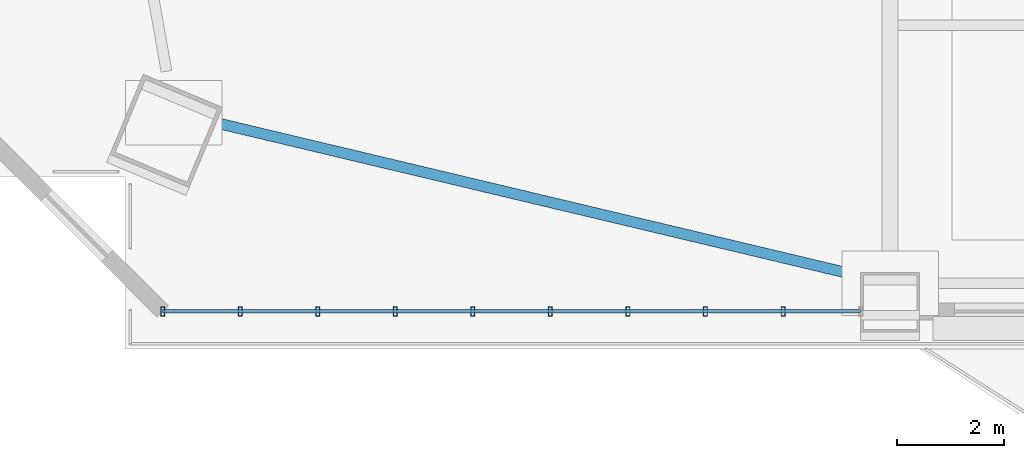
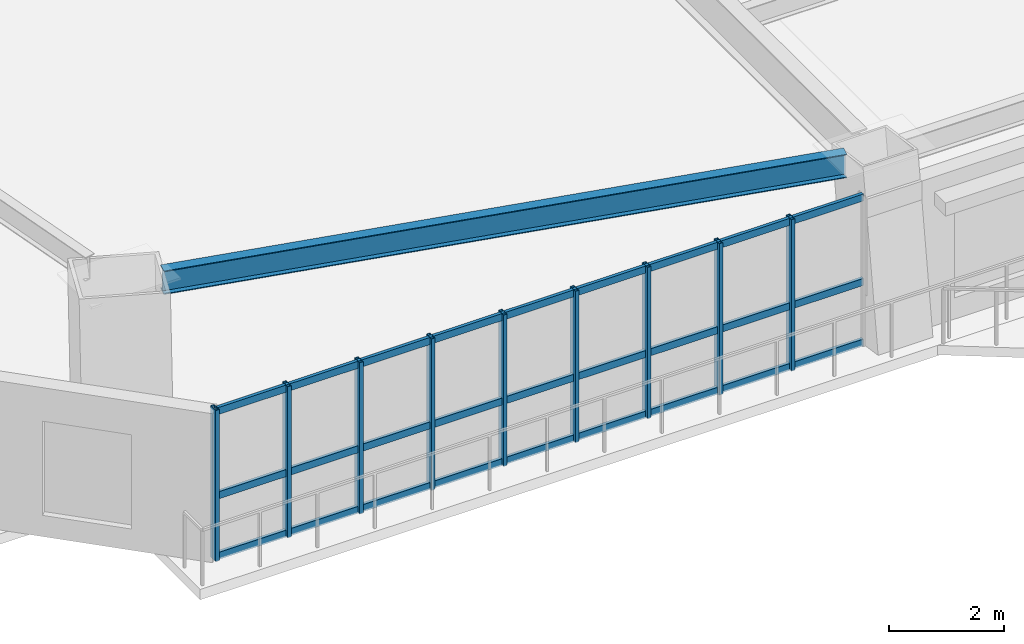
# One storey, part 2 of 17: 12 members, 1 beam, 1 element without a shape of its own.
"""IFC4 building model written with IfcOpenShell, lengths in metres."""

from ifc_helpers import new_model, si_unit, direction, frame, origin, origin_2d, place, context, subcontext, project, spatial, hollow_rectangle, i_section, extrude, source, transform, mapped, material, layer, layer_set, material_profile, profile_set, type_object, element, aggregate, save


model = new_model("IFC4")

# Units and contexts
model_context = context("Model", 3, precision=1e-05, world=origin(), true_north=direction((0.0, 1.0)))
body_context = subcontext(model_context, "Body", "Model", "MODEL_VIEW")
ifc_project = project(units=[si_unit("LENGTHUNIT", "METRE"), si_unit("AREAUNIT", "SQUARE_METRE"), si_unit("VOLUMEUNIT", "CUBIC_METRE"), si_unit("PLANEANGLEUNIT", "RADIAN"), si_unit("MASSUNIT", "GRAM", prefix="KILO")], contexts=[model_context])

# Site, building, storey
site_placement = place(None, origin())
site = spatial("IfcSite", under=ifc_project, at=site_placement, CompositionType="ELEMENT")
building_placement = place(site_placement, origin())
building = spatial("IfcBuilding", under=site, at=building_placement, Name="Giltprow Tower", CompositionType="ELEMENT")
storey_placement = place(building_placement, frame((0.0, 0.0, 33.199951171875)))
storey = spatial("IfcBuildingStorey", under=building, at=storey_placement, Name="L08", CompositionType="ELEMENT", Elevation=33.199951171875)

# Beam
ifc_material_1 = material(Name="Structural steel Q355B", Category="steel")
ifc_material_profile_1 = material_profile(ifc_material_1, i_section(OverallWidth=0.199951171875, OverallDepth=0.5, WebThickness=0.010009765625, FlangeThickness=0.01611328125, at=origin_2d()), Name="HN 500x200x10x16")
ifc_profile_set_1 = profile_set([ifc_material_profile_1], Name="Structural steel Q355B")
beam_type = type_object("IfcBeamType", Name="BM-SPAN-HN500", PredefinedType="SPANDREL", material=ifc_profile_set_1)
shared_shape_1 = source(origin(), body_context, "Body", "SweptSolid", [
    extrude(i_section(OverallWidth=0.199951171875, OverallDepth=0.5, WebThickness=0.010009765625, FlangeThickness=0.01611328125, at=origin_2d()), origin(), (0.0, 0.0, 1.0), 12.3935546875),
])
beam_placement = place(storey_placement, frame((7.27294921875, 6.819091796875, 3.429931640625), z_axis=(0.972853117152, -0.231423448352, 0.0), x_axis=(0.231423448352, 0.972853117152, 0.0)))
element("IfcBeam", 1, at=beam_placement, inside=storey, type_object=beam_type, Name="L08 Perimeter Spandrel Beam MC_SW-S1", PredefinedType="SPANDREL", context=body_context, shape_type="MappedRepresentation", body=[
    mapped(shared_shape_1, transform((0.0, 0.0, 0.0), x_axis=(1.0, 0.0, 0.0), y_axis=(0.0, 1.0, 0.0), z_axis=(0.0, 0.0, 1.0), scale=1.0)),
])

# Curtain wall, members
ifc_material_2 = material(Name="Anodized bronze", Category="metal")
ifc_layer = layer(ifc_material_2, 0.179931640625, Name="Anodized bronze")
ifc_layer_set = layer_set([ifc_layer], Name="Anodized bronze")
curtain_wall_type = type_object("IfcCurtainWallType", Name="CW-OFF-RECESSED", PredefinedType="NOTDEFINED", material=ifc_layer_set)
curtain_wall_placement = place(storey_placement, origin())
curtain_wall = element("IfcCurtainWall", 2, at=curtain_wall_placement, inside=storey, type_object=curtain_wall_type, Name="L08 South Recessed Curtain Wall 1", PredefinedType="NOTDEFINED")
ifc_material_profile_2 = material_profile(ifc_material_2, hollow_rectangle(XDim=0.074951171875, YDim=0.179931640625, WallThickness=0.008056640625, at=origin_2d()), Name="RHS 180x75x8")
ifc_profile_set_2 = profile_set([ifc_material_profile_2], Name="Anodized bronze")
member_type_1 = type_object("IfcMemberType", Name="CW-MULLION-180x75", PredefinedType="MULLION", material=ifc_profile_set_2)
shared_shape_2 = source(origin(), body_context, "Body", "SweptSolid", [
    extrude(hollow_rectangle(XDim=0.074951171875, YDim=0.179931640625, WallThickness=0.008056640625, at=origin_2d()), origin(), (0.0, 0.0, 1.0), 3.215087890625),
])
member_1_placement = place(storey_placement, frame((6.300048828125, 3.300048828125, -0.02001953125), z_axis=(0.0, 0.0, 1.0), x_axis=(1.0, 0.0, 0.0)))
member_1 = element("IfcMember", 3, at=member_1_placement, type_object=member_type_1, Name="L08 South Recessed Curtain Wall 1 Mullion 1", PredefinedType="MULLION", context=body_context, shape_type="MappedRepresentation", body=[
    mapped(shared_shape_2, transform((0.0, 0.0, 0.0), x_axis=(1.0, 0.0, 0.0), y_axis=(0.0, 1.0, 0.0), z_axis=(0.0, 0.0, 1.0), scale=1.0)),
])
member_2_placement = place(storey_placement, frame((7.743896484375, 3.300048828125, -0.02001953125), z_axis=(0.0, 0.0, 1.0), x_axis=(1.0, 0.0, 0.0)))
member_2 = element("IfcMember", 4, at=member_2_placement, type_object=member_type_1, Name="L08 South Recessed Curtain Wall 1 Mullion 2", PredefinedType="MULLION", context=body_context, shape_type="MappedRepresentation", body=[
    mapped(shared_shape_2, transform((0.0, 0.0, 0.0), x_axis=(1.0, 0.0, 0.0), y_axis=(0.0, 1.0, 0.0), z_axis=(0.0, 0.0, 1.0), scale=1.0)),
])
member_3_placement = place(storey_placement, frame((9.18896484375, 3.300048828125, -0.02001953125), z_axis=(0.0, 0.0, 1.0), x_axis=(1.0, 0.0, 0.0)))
member_3 = element("IfcMember", 5, at=member_3_placement, type_object=member_type_1, Name="L08 South Recessed Curtain Wall 1 Mullion 3", PredefinedType="MULLION", context=body_context, shape_type="MappedRepresentation", body=[
    mapped(shared_shape_2, transform((0.0, 0.0, 0.0), x_axis=(1.0, 0.0, 0.0), y_axis=(0.0, 1.0, 0.0), z_axis=(0.0, 0.0, 1.0), scale=1.0)),
])
member_4_placement = place(storey_placement, frame((10.633056640625, 3.300048828125, -0.02001953125), z_axis=(0.0, 0.0, 1.0), x_axis=(1.0, 0.0, 0.0)))
member_4 = element("IfcMember", 6, at=member_4_placement, type_object=member_type_1, Name="L08 South Recessed Curtain Wall 1 Mullion 4", PredefinedType="MULLION", context=body_context, shape_type="MappedRepresentation", body=[
    mapped(shared_shape_2, transform((0.0, 0.0, 0.0), x_axis=(1.0, 0.0, 0.0), y_axis=(0.0, 1.0, 0.0), z_axis=(0.0, 0.0, 1.0), scale=1.0)),
])
member_5_placement = place(storey_placement, frame((12.077880859375, 3.300048828125, -0.02001953125), z_axis=(0.0, 0.0, 1.0), x_axis=(1.0, 0.0, 0.0)))
member_5 = element("IfcMember", 7, at=member_5_placement, type_object=member_type_1, Name="L08 South Recessed Curtain Wall 1 Mullion 5", PredefinedType="MULLION", context=body_context, shape_type="MappedRepresentation", body=[
    mapped(shared_shape_2, transform((0.0, 0.0, 0.0), x_axis=(1.0, 0.0, 0.0), y_axis=(0.0, 1.0, 0.0), z_axis=(0.0, 0.0, 1.0), scale=1.0)),
])
member_6_placement = place(storey_placement, frame((13.52197265625, 3.300048828125, -0.02001953125), z_axis=(0.0, 0.0, 1.0), x_axis=(1.0, 0.0, 0.0)))
member_6 = element("IfcMember", 8, at=member_6_placement, type_object=member_type_1, Name="L08 South Recessed Curtain Wall 1 Mullion 6", PredefinedType="MULLION", context=body_context, shape_type="MappedRepresentation", body=[
    mapped(shared_shape_2, transform((0.0, 0.0, 0.0), x_axis=(1.0, 0.0, 0.0), y_axis=(0.0, 1.0, 0.0), z_axis=(0.0, 0.0, 1.0), scale=1.0)),
])
member_7_placement = place(storey_placement, frame((14.967041015625, 3.300048828125, -0.02001953125), z_axis=(0.0, 0.0, 1.0), x_axis=(1.0, 0.0, 0.0)))
member_7 = element("IfcMember", 9, at=member_7_placement, type_object=member_type_1, Name="L08 South Recessed Curtain Wall 1 Mullion 7", PredefinedType="MULLION", context=body_context, shape_type="MappedRepresentation", body=[
    mapped(shared_shape_2, transform((0.0, 0.0, 0.0), x_axis=(1.0, 0.0, 0.0), y_axis=(0.0, 1.0, 0.0), z_axis=(0.0, 0.0, 1.0), scale=1.0)),
])
member_8_placement = place(storey_placement, frame((16.410888671875, 3.300048828125, -0.02001953125), z_axis=(0.0, 0.0, 1.0), x_axis=(1.0, 0.0, 0.0)))
member_8 = element("IfcMember", 10, at=member_8_placement, type_object=member_type_1, Name="L08 South Recessed Curtain Wall 1 Mullion 8", PredefinedType="MULLION", context=body_context, shape_type="MappedRepresentation", body=[
    mapped(shared_shape_2, transform((0.0, 0.0, 0.0), x_axis=(1.0, 0.0, 0.0), y_axis=(0.0, 1.0, 0.0), z_axis=(0.0, 0.0, 1.0), scale=1.0)),
])
member_9_placement = place(storey_placement, frame((17.85595703125, 3.300048828125, -0.02001953125), z_axis=(0.0, 0.0, 1.0), x_axis=(1.0, 0.0, 0.0)))
member_9 = element("IfcMember", 11, at=member_9_placement, type_object=member_type_1, Name="L08 South Recessed Curtain Wall 1 Mullion 9", PredefinedType="MULLION", context=body_context, shape_type="MappedRepresentation", body=[
    mapped(shared_shape_2, transform((0.0, 0.0, 0.0), x_axis=(1.0, 0.0, 0.0), y_axis=(0.0, 1.0, 0.0), z_axis=(0.0, 0.0, 1.0), scale=1.0)),
])
ifc_material_profile_3 = material_profile(ifc_material_2, hollow_rectangle(XDim=0.06494140625, YDim=0.14990234375, WallThickness=0.006103515625, at=origin_2d()), Name="RHS 150x65x6")
ifc_profile_set_3 = profile_set([ifc_material_profile_3], Name="Anodized bronze")
member_type_2 = type_object("IfcMemberType", Name="CW-TRANSOM-150x65", PredefinedType="USERDEFINED", material=ifc_profile_set_3)
shared_shape_3 = source(origin(), body_context, "Body", "SweptSolid", [
    extrude(hollow_rectangle(XDim=0.06494140625, YDim=0.14990234375, WallThickness=0.006103515625, at=origin_2d()), origin(), (0.0, 0.0, 1.0), 13.0),
])
member_10_placement = place(storey_placement, frame((6.300048828125, 3.300048828125, 0.0400390625), z_axis=(1.0, 0.0, 0.0), x_axis=(0.0, 1.0, 0.0)))
member_10 = element("IfcMember", 12, at=member_10_placement, type_object=member_type_2, Name="L08 South Recessed Curtain Wall 1 Transom 1", ObjectType="TRANSOM", PredefinedType="USERDEFINED", context=body_context, shape_type="MappedRepresentation", body=[
    mapped(shared_shape_3, transform((0.0, 0.0, 0.0), x_axis=(1.0, 0.0, 0.0), y_axis=(0.0, 1.0, 0.0), z_axis=(0.0, 0.0, 1.0), scale=1.0)),
])
member_11_placement = place(storey_placement, frame((6.300048828125, 3.300048828125, 1.3271484375), z_axis=(1.0, 0.0, 0.0), x_axis=(0.0, 1.0, 0.0)))
member_11 = element("IfcMember", 13, at=member_11_placement, type_object=member_type_2, Name="L08 South Recessed Curtain Wall 1 Transom 2", ObjectType="TRANSOM", PredefinedType="USERDEFINED", context=body_context, shape_type="MappedRepresentation", body=[
    mapped(shared_shape_3, transform((0.0, 0.0, 0.0), x_axis=(1.0, 0.0, 0.0), y_axis=(0.0, 1.0, 0.0), z_axis=(0.0, 0.0, 1.0), scale=1.0)),
])
member_12_placement = place(storey_placement, frame((6.300048828125, 3.300048828125, 3.1201171875), z_axis=(1.0, 0.0, 0.0), x_axis=(0.0, 1.0, 0.0)))
member_12 = element("IfcMember", 14, at=member_12_placement, type_object=member_type_2, Name="L08 South Recessed Curtain Wall 1 Transom 3", ObjectType="TRANSOM", PredefinedType="USERDEFINED", context=body_context, shape_type="MappedRepresentation", body=[
    mapped(shared_shape_3, transform((0.0, 0.0, 0.0), x_axis=(1.0, 0.0, 0.0), y_axis=(0.0, 1.0, 0.0), z_axis=(0.0, 0.0, 1.0), scale=1.0)),
])
aggregate(curtain_wall, [member_1, member_2, member_3, member_4, member_5, member_6, member_7, member_8, member_9, member_10, member_11, member_12])

save(model, "model.ifc")
